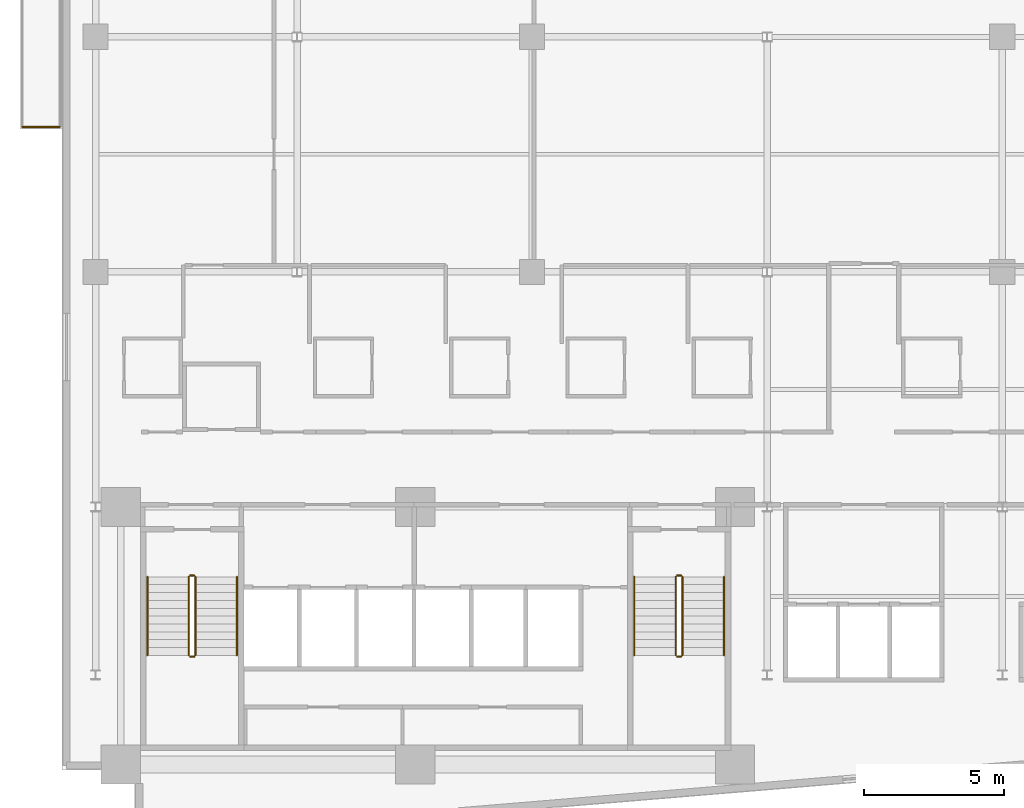
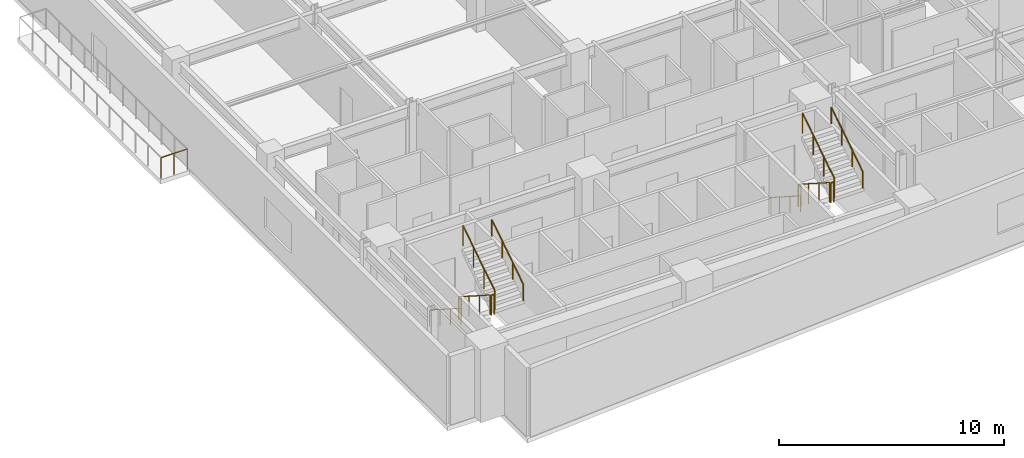
# One storey, part 17 of 21: 13 railings.
"""IFC4 building model written with IfcOpenShell, lengths in metres."""

from ifc_helpers import new_model, si_unit, direction, frame, origin, origin_2d, place, context, subcontext, project, spatial, circle, extrude, material, type_object, element, save


model = new_model("IFC4")

# Units and contexts
model_context = context("Model", 3, precision=1e-05, world=origin(), true_north=direction((0.0, 1.0)))
body_context = subcontext(model_context, "Body", "Model", "MODEL_VIEW")
ifc_project = project(units=[si_unit("LENGTHUNIT", "METRE"), si_unit("AREAUNIT", "SQUARE_METRE"), si_unit("VOLUMEUNIT", "CUBIC_METRE"), si_unit("PLANEANGLEUNIT", "RADIAN"), si_unit("MASSUNIT", "GRAM", prefix="KILO")], contexts=[model_context])

# Site, building, storey
site_placement = place(None, origin())
site = spatial("IfcSite", under=ifc_project, at=site_placement, CompositionType="ELEMENT")
building_placement = place(site_placement, origin())
building = spatial("IfcBuilding", under=site, at=building_placement, Name="Varnakote Quay Hospital", CompositionType="ELEMENT")
storey_placement = place(building_placement, frame((0.0, 0.0, 34.35009765625)))
storey = spatial("IfcBuildingStorey", under=building, at=storey_placement, Name="L08", CompositionType="ELEMENT", Elevation=34.35009765625)

# Railings
ifc_material_1 = material(Name="Anodised aluminium 6063-T6 Bronze", Category="aluminium")
railing_type_1 = type_object("IfcRailingType", Name="RLG-EXT-GUARD-1150", PredefinedType="GUARDRAIL", material=ifc_material_1)
railing_1_placement = place(storey_placement, frame((-0.075927734375, 25.580078125, 0.0)))
element("IfcRailing", 1, at=railing_1_placement, inside=storey, type_object=railing_type_1, Name="L08 Zigzag Prow Healing Terrace Safety Guard", PredefinedType="GUARDRAIL", context=body_context, shape_type="SweptSolid", body=[
    extrude(circle(Radius=0.02392578125, at=origin_2d()), frame((0.0, 0.0, 1.1259765625), z_axis=(-1.0, 0.0, 0.0), x_axis=(0.0, -1.0, 0.0)), (0.0, 0.0, 1.0), 1.343994140625),
    extrude(circle(Radius=0.02099609375, at=origin_2d()), origin(), (0.0, 0.0, 1.0), 1.101806640625),
    extrude(circle(Radius=0.02099609375, at=origin_2d()), frame((-0.671875, 0.0, 0.0)), (0.0, 0.0, 1.0), 1.101806640625),
    extrude(circle(Radius=0.02099609375, at=origin_2d()), frame((-1.343994140625, 0.0, 0.0)), (0.0, 0.0, 1.0), 1.101806640625),
])
ifc_material_2 = material(Name="Brushed stainless steel balustrade", Category="steel")
railing_type_2 = type_object("IfcRailingType", Name="RLG-STAIR-GUARD-1150", PredefinedType="GUARDRAIL", material=ifc_material_2)
railing_2_placement = place(storey_placement, frame((4.530029296875, 9.5, 0.179443359375)))
element("IfcRailing", 2, at=railing_2_placement, inside=storey, type_object=railing_type_2, Name="L08 ST-01 stair guard 1", PredefinedType="GUARDRAIL", context=body_context, shape_type="SweptSolid", body=[
    extrude(circle(Radius=0.02392578125, at=origin_2d()), frame((0.0, 0.0, 1.076171875), z_axis=(0.0, -0.841809871826, 0.539774156196), x_axis=(1.0, 0.0, 0.0)), (0.0, 0.0, 1.0), 3.326171875),
    extrude(circle(Radius=0.02099609375, at=origin_2d()), origin(), (0.0, 0.0, 1.0), 1.052001953125),
    extrude(circle(Radius=0.02099609375, at=origin_2d()), frame((0.0, -0.933349609375, 0.598388671875)), (0.0, 0.0, 1.0), 1.052001953125),
    extrude(circle(Radius=0.02099609375, at=origin_2d()), frame((0.0, -1.86669921875, 1.197021484375)), (0.0, 0.0, 1.0), 1.052001953125),
    extrude(circle(Radius=0.02099609375, at=origin_2d()), frame((0.0, -2.800048828125, 1.79541015625)), (0.0, 0.0, 1.0), 1.052001953125),
])
railing_3_placement = place(storey_placement, frame((4.580078125, 6.64990234375, 1.974853515625)))
element("IfcRailing", 3, at=railing_3_placement, inside=storey, type_object=railing_type_2, Name="L08 ST-01 stair guard 2", PredefinedType="GUARDRAIL", context=body_context, shape_type="SweptSolid", body=[
    extrude(circle(Radius=0.02392578125, at=origin_2d()), frame((0.0, 0.0, 1.076171875), z_axis=(1.0, 0.0, 0.0), x_axis=(0.0, 1.0, 0.0)), (0.0, 0.0, 1.0), 0.139892578125),
    extrude(circle(Radius=0.02099609375, at=origin_2d()), origin(), (0.0, 0.0, 1.0), 1.052001953125),
    extrude(circle(Radius=0.02099609375, at=origin_2d()), frame((0.139892578125, 0.0, 0.0)), (0.0, 0.0, 1.0), 1.052001953125),
])
railing_4_placement = place(storey_placement, frame((4.77001953125, 6.699951171875, 2.154541015625)))
element("IfcRailing", 4, at=railing_4_placement, inside=storey, type_object=railing_type_2, Name="L08 ST-01 stair guard 3", PredefinedType="GUARDRAIL", context=body_context, shape_type="SweptSolid", body=[
    extrude(circle(Radius=0.02392578125, at=origin_2d()), frame((0.0, 0.0, 1.076171875), z_axis=(0.0, 0.841809871826, 0.539774156196), x_axis=(-1.0, 0.0, 0.0)), (0.0, 0.0, 1.0), 3.326171875),
    extrude(circle(Radius=0.02099609375, at=origin_2d()), origin(), (0.0, 0.0, 1.0), 1.052001953125),
    extrude(circle(Radius=0.02099609375, at=origin_2d()), frame((0.0, 0.933349609375, 0.598388671875)), (0.0, 0.0, 1.0), 1.052001953125),
    extrude(circle(Radius=0.02099609375, at=origin_2d()), frame((0.0, 1.86669921875, 1.197021484375)), (0.0, 0.0, 1.0), 1.052001953125),
    extrude(circle(Radius=0.02099609375, at=origin_2d()), frame((0.0, 2.800048828125, 1.79541015625)), (0.0, 0.0, 1.0), 1.052001953125),
])
railing_5_placement = place(storey_placement, frame((4.580078125, 9.550048828125, 0.0)))
element("IfcRailing", 5, at=railing_5_placement, inside=storey, type_object=railing_type_2, Name="L08 ST-01 stair guard 4", PredefinedType="GUARDRAIL", context=body_context, shape_type="SweptSolid", body=[
    extrude(circle(Radius=0.02392578125, at=origin_2d()), frame((0.0, 0.0, 1.076171875), z_axis=(1.0, 0.0, 0.0), x_axis=(0.0, 1.0, 0.0)), (0.0, 0.0, 1.0), 0.139892578125),
    extrude(circle(Radius=0.02099609375, at=origin_2d()), origin(), (0.0, 0.0, 1.0), 1.052001953125),
    extrude(circle(Radius=0.02099609375, at=origin_2d()), frame((0.139892578125, 0.0, 0.0)), (0.0, 0.0, 1.0), 1.052001953125),
])
railing_6_placement = place(storey_placement, frame((21.929931640625, 9.5, 0.179443359375)))
element("IfcRailing", 6, at=railing_6_placement, inside=storey, type_object=railing_type_2, Name="L08 ST-02 stair guard 1", PredefinedType="GUARDRAIL", context=body_context, shape_type="SweptSolid", body=[
    extrude(circle(Radius=0.02392578125, at=origin_2d()), frame((0.0, 0.0, 1.076171875), z_axis=(0.0, -0.841809871826, 0.539774156196), x_axis=(1.0, 0.0, 0.0)), (0.0, 0.0, 1.0), 3.326171875),
    extrude(circle(Radius=0.02099609375, at=origin_2d()), origin(), (0.0, 0.0, 1.0), 1.052001953125),
    extrude(circle(Radius=0.02099609375, at=origin_2d()), frame((0.0, -0.933349609375, 0.598388671875)), (0.0, 0.0, 1.0), 1.052001953125),
    extrude(circle(Radius=0.02099609375, at=origin_2d()), frame((0.0, -1.86669921875, 1.197021484375)), (0.0, 0.0, 1.0), 1.052001953125),
    extrude(circle(Radius=0.02099609375, at=origin_2d()), frame((0.0, -2.800048828125, 1.79541015625)), (0.0, 0.0, 1.0), 1.052001953125),
])
railing_7_placement = place(storey_placement, frame((21.97998046875, 6.64990234375, 1.974853515625)))
element("IfcRailing", 7, at=railing_7_placement, inside=storey, type_object=railing_type_2, Name="L08 ST-02 stair guard 2", PredefinedType="GUARDRAIL", context=body_context, shape_type="SweptSolid", body=[
    extrude(circle(Radius=0.02392578125, at=origin_2d()), frame((0.0, 0.0, 1.076171875), z_axis=(1.0, 0.0, 0.0), x_axis=(0.0, 1.0, 0.0)), (0.0, 0.0, 1.0), 0.14013671875),
    extrude(circle(Radius=0.02099609375, at=origin_2d()), origin(), (0.0, 0.0, 1.0), 1.052001953125),
    extrude(circle(Radius=0.02099609375, at=origin_2d()), frame((0.14013671875, 0.0, 0.0)), (0.0, 0.0, 1.0), 1.052001953125),
])
railing_8_placement = place(storey_placement, frame((22.169921875, 6.699951171875, 2.154541015625)))
element("IfcRailing", 8, at=railing_8_placement, inside=storey, type_object=railing_type_2, Name="L08 ST-02 stair guard 3", PredefinedType="GUARDRAIL", context=body_context, shape_type="SweptSolid", body=[
    extrude(circle(Radius=0.02392578125, at=origin_2d()), frame((0.0, 0.0, 1.076171875), z_axis=(0.0, 0.841809871826, 0.539774156196), x_axis=(-1.0, 0.0, 0.0)), (0.0, 0.0, 1.0), 3.326171875),
    extrude(circle(Radius=0.02099609375, at=origin_2d()), origin(), (0.0, 0.0, 1.0), 1.052001953125),
    extrude(circle(Radius=0.02099609375, at=origin_2d()), frame((0.0, 0.933349609375, 0.598388671875)), (0.0, 0.0, 1.0), 1.052001953125),
    extrude(circle(Radius=0.02099609375, at=origin_2d()), frame((0.0, 1.86669921875, 1.197021484375)), (0.0, 0.0, 1.0), 1.052001953125),
    extrude(circle(Radius=0.02099609375, at=origin_2d()), frame((0.0, 2.800048828125, 1.79541015625)), (0.0, 0.0, 1.0), 1.052001953125),
])
railing_9_placement = place(storey_placement, frame((21.97998046875, 9.550048828125, 0.0)))
element("IfcRailing", 9, at=railing_9_placement, inside=storey, type_object=railing_type_2, Name="L08 ST-02 stair guard 4", PredefinedType="GUARDRAIL", context=body_context, shape_type="SweptSolid", body=[
    extrude(circle(Radius=0.02392578125, at=origin_2d()), frame((0.0, 0.0, 1.076171875), z_axis=(1.0, 0.0, 0.0), x_axis=(0.0, 1.0, 0.0)), (0.0, 0.0, 1.0), 0.14013671875),
    extrude(circle(Radius=0.02099609375, at=origin_2d()), origin(), (0.0, 0.0, 1.0), 1.052001953125),
    extrude(circle(Radius=0.02099609375, at=origin_2d()), frame((0.14013671875, 0.0, 0.0)), (0.0, 0.0, 1.0), 1.052001953125),
])
ifc_material_3 = material(Name="Brushed stainless steel handrail", Category="steel")
railing_type_3 = type_object("IfcRailingType", Name="RLG-STAIR-HND-920", PredefinedType="HANDRAIL", material=ifc_material_3)
railing_10_placement = place(storey_placement, frame((3.050048828125, 9.5, 0.179443359375)))
element("IfcRailing", 10, at=railing_10_placement, inside=storey, type_object=railing_type_3, Name="L08 ST-01 stair handrail 1", PredefinedType="HANDRAIL", context=body_context, shape_type="SweptSolid", body=[
    extrude(circle(Radius=0.02392578125, at=origin_2d()), frame((0.0, 0.0, 0.8759765625), z_axis=(0.0, -0.841809871826, 0.539774156196), x_axis=(1.0, 0.0, 0.0)), (0.0, 0.0, 1.0), 3.326171875),
    extrude(circle(Radius=0.02099609375, at=origin_2d()), origin(), (0.0, 0.0, 1.0), 0.851806640625),
    extrude(circle(Radius=0.02099609375, at=origin_2d()), frame((0.0, -0.933349609375, 0.598388671875)), (0.0, 0.0, 1.0), 0.851806640625),
    extrude(circle(Radius=0.02099609375, at=origin_2d()), frame((0.0, -1.86669921875, 1.197021484375)), (0.0, 0.0, 1.0), 0.851806640625),
    extrude(circle(Radius=0.02099609375, at=origin_2d()), frame((0.0, -2.800048828125, 1.79541015625)), (0.0, 0.0, 1.0), 0.851806640625),
])
railing_11_placement = place(storey_placement, frame((6.25, 6.699951171875, 2.154541015625)))
element("IfcRailing", 11, at=railing_11_placement, inside=storey, type_object=railing_type_3, Name="L08 ST-01 stair handrail 2", PredefinedType="HANDRAIL", context=body_context, shape_type="SweptSolid", body=[
    extrude(circle(Radius=0.02392578125, at=origin_2d()), frame((0.0, 0.0, 0.8759765625), z_axis=(0.0, 0.841809871826, 0.539774156196), x_axis=(-1.0, 0.0, 0.0)), (0.0, 0.0, 1.0), 3.326171875),
    extrude(circle(Radius=0.02099609375, at=origin_2d()), origin(), (0.0, 0.0, 1.0), 0.851806640625),
    extrude(circle(Radius=0.02099609375, at=origin_2d()), frame((0.0, 0.933349609375, 0.598388671875)), (0.0, 0.0, 1.0), 0.851806640625),
    extrude(circle(Radius=0.02099609375, at=origin_2d()), frame((0.0, 1.86669921875, 1.197021484375)), (0.0, 0.0, 1.0), 0.851806640625),
    extrude(circle(Radius=0.02099609375, at=origin_2d()), frame((0.0, 2.800048828125, 1.79541015625)), (0.0, 0.0, 1.0), 0.851806640625),
])
railing_12_placement = place(storey_placement, frame((20.449951171875, 9.5, 0.179443359375)))
element("IfcRailing", 12, at=railing_12_placement, inside=storey, type_object=railing_type_3, Name="L08 ST-02 stair handrail 1", PredefinedType="HANDRAIL", context=body_context, shape_type="SweptSolid", body=[
    extrude(circle(Radius=0.02392578125, at=origin_2d()), frame((0.0, 0.0, 0.8759765625), z_axis=(0.0, -0.841809871826, 0.539774156196), x_axis=(1.0, 0.0, 0.0)), (0.0, 0.0, 1.0), 3.326171875),
    extrude(circle(Radius=0.02099609375, at=origin_2d()), origin(), (0.0, 0.0, 1.0), 0.851806640625),
    extrude(circle(Radius=0.02099609375, at=origin_2d()), frame((0.0, -0.933349609375, 0.598388671875)), (0.0, 0.0, 1.0), 0.851806640625),
    extrude(circle(Radius=0.02099609375, at=origin_2d()), frame((0.0, -1.86669921875, 1.197021484375)), (0.0, 0.0, 1.0), 0.851806640625),
    extrude(circle(Radius=0.02099609375, at=origin_2d()), frame((0.0, -2.800048828125, 1.79541015625)), (0.0, 0.0, 1.0), 0.851806640625),
])
railing_13_placement = place(storey_placement, frame((23.64990234375, 6.699951171875, 2.154541015625)))
element("IfcRailing", 13, at=railing_13_placement, inside=storey, type_object=railing_type_3, Name="L08 ST-02 stair handrail 2", PredefinedType="HANDRAIL", context=body_context, shape_type="SweptSolid", body=[
    extrude(circle(Radius=0.02392578125, at=origin_2d()), frame((0.0, 0.0, 0.8759765625), z_axis=(0.0, 0.841809871826, 0.539774156196), x_axis=(-1.0, 0.0, 0.0)), (0.0, 0.0, 1.0), 3.326171875),
    extrude(circle(Radius=0.02099609375, at=origin_2d()), origin(), (0.0, 0.0, 1.0), 0.851806640625),
    extrude(circle(Radius=0.02099609375, at=origin_2d()), frame((0.0, 0.933349609375, 0.598388671875)), (0.0, 0.0, 1.0), 0.851806640625),
    extrude(circle(Radius=0.02099609375, at=origin_2d()), frame((0.0, 1.86669921875, 1.197021484375)), (0.0, 0.0, 1.0), 0.851806640625),
    extrude(circle(Radius=0.02099609375, at=origin_2d()), frame((0.0, 2.800048828125, 1.79541015625)), (0.0, 0.0, 1.0), 0.851806640625),
])

save(model, "model.ifc")
